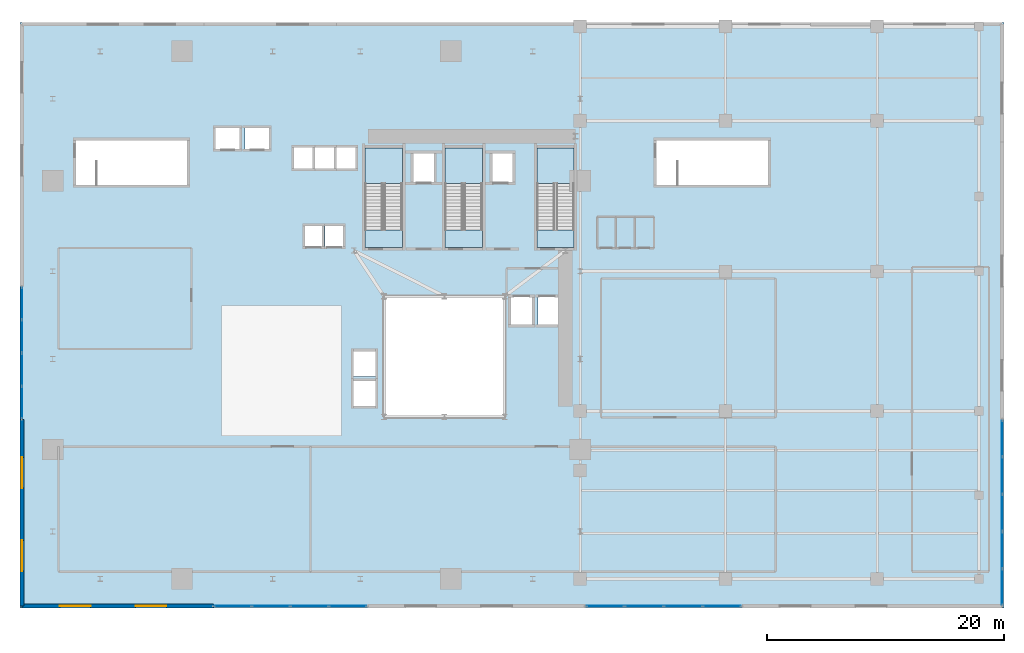
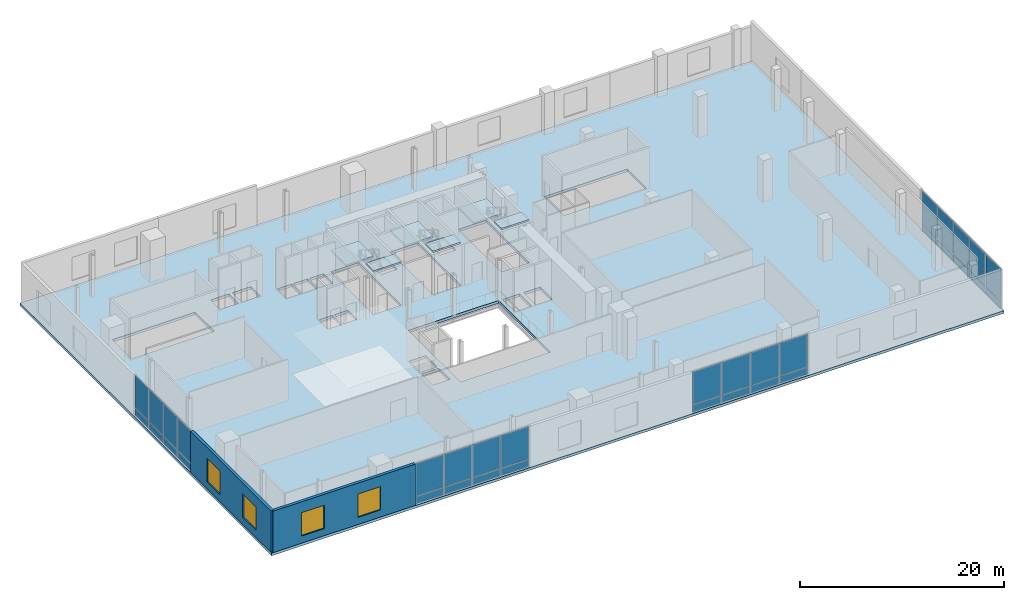
# One storey, part 6 of 13: 34 plates, 7 slabs, 4 windows, 2 walls, 4 openings, 7 elements without a shape of their own.
"""IFC4 building model written with IfcOpenShell, lengths in metres."""

from ifc_helpers import new_model, si_unit, direction, frame, frame_2d, origin, origin_2d, place, context, subcontext, project, spatial, polyline, rectangle, outline, extrude, source, transform, mapped, material, layer, layer_set, type_object, element, fill, aggregate, save


model = new_model("IFC4")

# Units and contexts
model_context = context("Model", 3, precision=1e-05, world=origin(), true_north=direction((0.0, 1.0)))
body_context = subcontext(model_context, "Body", "Model", "MODEL_VIEW")
ifc_project = project(units=[si_unit("LENGTHUNIT", "METRE"), si_unit("AREAUNIT", "SQUARE_METRE"), si_unit("VOLUMEUNIT", "CUBIC_METRE"), si_unit("PLANEANGLEUNIT", "RADIAN"), si_unit("MASSUNIT", "GRAM", prefix="KILO")], contexts=[model_context])

# Site, building, storey
site_placement = place(None, origin())
site = spatial("IfcSite", under=ifc_project, at=site_placement, CompositionType="ELEMENT")
building_placement = place(site_placement, origin())
building = spatial("IfcBuilding", under=site, at=building_placement, Name="Vardaveli Station Tower", CompositionType="ELEMENT")
storey_placement = place(building_placement, frame((0.0, 0.0, 22.39990234375)))
storey = spatial("IfcBuildingStorey", under=building, at=storey_placement, Name="L05", CompositionType="ELEMENT", Elevation=22.39990234375)

# Stair, slabs
ifc_material_1 = material(Name="Concrete C40/50", Category="concrete")
stair_type = type_object("IfcStairType", Name="STR-CORE-1500", PredefinedType="HALF_TURN_STAIR", material=ifc_material_1)
stair_1_placement = place(storey_placement, origin())
stair_1 = element("IfcStair", 1, at=stair_1_placement, inside=storey, type_object=stair_type, Name="L05 ST-1", PredefinedType="HALF_TURN_STAIR")
ifc_layer_1 = layer(ifc_material_1, 0.199951171875, Name="Concrete C40/50")
ifc_layer_set_1 = layer_set([ifc_layer_1], Name="Concrete C40/50")
slab_type_1 = type_object("IfcSlabType", Name="SLB-LAND-200", PredefinedType="LANDING", material=ifc_layer_set_1)
slab_1_placement = place(storey_placement, frame((0.0, 0.0, 2.400146484375)))
slab_1 = element("IfcSlab", 2, at=slab_1_placement, type_object=slab_type_1, Name="ST-1 landing 1", PredefinedType="LANDING", context=body_context, shape_type="SweptSolid", body=[
    extrude(outline(polyline([(32.75, 36.320068359375), (32.75, 39.300048828125), (29.60009765625, 39.300048828125), (29.60009765625, 36.320068359375), (32.75, 36.320068359375)])), origin(), (0.0, 0.0, 1.0), 0.199951171875),
])
slab_2_placement = place(storey_placement, frame((0.0, 0.0, 5.0)))
slab_2 = element("IfcSlab", 3, at=slab_2_placement, type_object=slab_type_1, Name="ST-1 landing 2", PredefinedType="LANDING", context=body_context, shape_type="SweptSolid", body=[
    extrude(outline(polyline([(32.75, 30.89990234375), (32.75, 32.39990234375), (29.60009765625, 32.39990234375), (29.60009765625, 30.89990234375), (32.75, 30.89990234375)])), origin(), (0.0, 0.0, 1.0), 0.2001953125),
])
aggregate(stair_1, [slab_1, slab_2])

stair_2_placement = place(storey_placement, origin())
stair_2 = element("IfcStair", 4, at=stair_2_placement, inside=storey, type_object=stair_type, Name="L05 ST-2", PredefinedType="HALF_TURN_STAIR")
slab_3_placement = place(storey_placement, frame((0.0, 0.0, 2.400146484375)))
slab_3 = element("IfcSlab", 5, at=slab_3_placement, type_object=slab_type_1, Name="ST-2 landing 1", PredefinedType="LANDING", context=body_context, shape_type="SweptSolid", body=[
    extrude(outline(polyline([(39.5, 36.320068359375), (39.5, 39.300048828125), (36.35009765625, 39.300048828125), (36.35009765625, 36.320068359375), (39.5, 36.320068359375)])), origin(), (0.0, 0.0, 1.0), 0.199951171875),
])
slab_4_placement = place(storey_placement, frame((0.0, 0.0, 5.0)))
slab_4 = element("IfcSlab", 6, at=slab_4_placement, type_object=slab_type_1, Name="ST-2 landing 2", PredefinedType="LANDING", context=body_context, shape_type="SweptSolid", body=[
    extrude(outline(polyline([(39.5, 30.89990234375), (39.5, 32.39990234375), (36.35009765625, 32.39990234375), (36.35009765625, 30.89990234375), (39.5, 30.89990234375)])), origin(), (0.0, 0.0, 1.0), 0.2001953125),
])
aggregate(stair_2, [slab_3, slab_4])

stair_3_placement = place(storey_placement, origin())
stair_3 = element("IfcStair", 7, at=stair_3_placement, inside=storey, type_object=stair_type, Name="L05 ST-3", PredefinedType="HALF_TURN_STAIR")
slab_5_placement = place(storey_placement, frame((0.0, 0.0, 2.400146484375)))
slab_5 = element("IfcSlab", 8, at=slab_5_placement, type_object=slab_type_1, Name="ST-3 landing 1", PredefinedType="LANDING", context=body_context, shape_type="SweptSolid", body=[
    extrude(outline(polyline([(47.25, 36.320068359375), (47.25, 39.300048828125), (44.10009765625, 39.300048828125), (44.10009765625, 36.320068359375), (47.25, 36.320068359375)])), origin(), (0.0, 0.0, 1.0), 0.199951171875),
])
slab_6_placement = place(storey_placement, frame((0.0, 0.0, 5.0)))
slab_6 = element("IfcSlab", 9, at=slab_6_placement, type_object=slab_type_1, Name="ST-3 landing 2", PredefinedType="LANDING", context=body_context, shape_type="SweptSolid", body=[
    extrude(outline(polyline([(47.25, 30.89990234375), (47.25, 32.39990234375), (44.10009765625, 32.39990234375), (44.10009765625, 30.89990234375), (47.25, 30.89990234375)])), origin(), (0.0, 0.0, 1.0), 0.2001953125),
])
aggregate(stair_3, [slab_5, slab_6])

# Slab
ifc_layer_2 = layer(ifc_material_1, 0.320068359375, Name="Concrete C40/50")
ifc_layer_set_2 = layer_set([ifc_layer_2], Name="Concrete C40/50")
slab_type_2 = type_object("IfcSlabType", Name="SLB-POD-320", PredefinedType="FLOOR", material=ifc_layer_set_2)
slab_7_placement = place(storey_placement, frame((0.0, 0.0, -0.31982421875)))
element("IfcSlab", 10, at=slab_7_placement, inside=storey, type_object=slab_type_2, Name="SLB-L05-MAIN", PredefinedType="FLOOR", context=body_context, shape_type="SweptSolid", body=[
    extrude(outline(polyline([(0.489990234375, 0.489990234375), (83.510009765625, 0.489990234375), (83.510009765625, 49.909912109375), (0.489990234375, 49.909912109375), (0.489990234375, 0.489990234375)]), holes=[polyline([(31.199951171875, 16.60009765625), (41.39990234375, 16.60009765625), (41.39990234375, 26.800048828125), (31.199951171875, 26.800048828125), (31.199951171875, 16.60009765625)]), polyline([(32.75, 30.89990234375), (32.75, 39.300048828125), (29.60009765625, 39.300048828125), (29.60009765625, 30.89990234375), (32.75, 30.89990234375)]), polyline([(39.5, 30.89990234375), (39.5, 39.300048828125), (36.35009765625, 39.300048828125), (36.35009765625, 30.89990234375), (39.5, 30.89990234375)]), polyline([(47.25, 30.89990234375), (47.25, 39.300048828125), (44.10009765625, 39.300048828125), (44.10009765625, 30.89990234375), (47.25, 30.89990234375)]), polyline([(5.199951171875, 36.199951171875), (14.60009765625, 36.199951171875), (14.60009765625, 39.949951171875), (5.199951171875, 39.949951171875), (5.199951171875, 36.199951171875)]), polyline([(54.199951171875, 36.199951171875), (63.60009765625, 36.199951171875), (63.60009765625, 39.949951171875), (54.199951171875, 39.949951171875), (54.199951171875, 36.199951171875)]), polyline([(16.9599609375, 39.18505859375), (19.0400390625, 39.18505859375), (19.0400390625, 41.014892578125), (16.9599609375, 41.014892578125), (16.9599609375, 39.18505859375)]), polyline([(19.4599609375, 39.18505859375), (21.5400390625, 39.18505859375), (21.5400390625, 41.014892578125), (19.4599609375, 41.014892578125), (19.4599609375, 39.18505859375)]), polyline([(23.5849609375, 37.534912109375), (25.215087890625, 37.534912109375), (25.215087890625, 39.364990234375), (23.5849609375, 39.364990234375), (23.5849609375, 37.534912109375)]), polyline([(25.385009765625, 37.534912109375), (27.014892578125, 37.534912109375), (27.014892578125, 39.364990234375), (25.385009765625, 39.364990234375), (25.385009765625, 37.534912109375)]), polyline([(27.18505859375, 37.534912109375), (28.81494140625, 37.534912109375), (28.81494140625, 39.364990234375), (27.18505859375, 39.364990234375), (27.18505859375, 37.534912109375)]), polyline([(33.659912109375, 36.409912109375), (35.43994140625, 36.409912109375), (35.43994140625, 38.889892578125), (33.659912109375, 38.889892578125), (33.659912109375, 36.409912109375)]), polyline([(40.31005859375, 36.409912109375), (42.090087890625, 36.409912109375), (42.090087890625, 38.889892578125), (40.31005859375, 38.889892578125), (40.31005859375, 36.409912109375)]), polyline([(24.485107421875, 30.9599609375), (26.014892578125, 30.9599609375), (26.014892578125, 32.739990234375), (24.485107421875, 32.739990234375), (24.485107421875, 30.9599609375)]), polyline([(26.235107421875, 30.9599609375), (27.764892578125, 30.9599609375), (27.764892578125, 32.739990234375), (26.235107421875, 32.739990234375), (26.235107421875, 30.9599609375)]), polyline([(28.5849609375, 17.510009765625), (30.514892578125, 17.510009765625), (30.514892578125, 19.68994140625), (28.5849609375, 19.68994140625), (28.5849609375, 17.510009765625)]), polyline([(28.5849609375, 20.010009765625), (30.514892578125, 20.010009765625), (30.514892578125, 22.18994140625), (28.5849609375, 22.18994140625), (28.5849609375, 20.010009765625)]), polyline([(41.860107421875, 24.360107421875), (43.739990234375, 24.360107421875), (43.739990234375, 26.739990234375), (41.860107421875, 26.739990234375), (41.860107421875, 24.360107421875)]), polyline([(44.2099609375, 24.360107421875), (46.090087890625, 24.360107421875), (46.090087890625, 26.739990234375), (44.2099609375, 26.739990234375), (44.2099609375, 24.360107421875)])]), origin(), (0.0, 0.0, 1.0), 0.31982421875),
])

# Curtain wall, plates
ifc_material_2 = material(Name="Travertine stone and solar-control glass", Category="masonry")
curtain_wall_type = type_object("IfcCurtainWallType", Name="CW-SYS-1", PredefinedType="NOTDEFINED", material=ifc_material_2)
curtain_wall_1_placement = place(storey_placement, origin())
curtain_wall_1 = element("IfcCurtainWall", 11, at=curtain_wall_1_placement, inside=storey, type_object=curtain_wall_type, Name="CW-L05-S2", PredefinedType="NOTDEFINED")
ifc_material_3 = material(Name="Double-glazed low-E solar-control glass", Category="glass")
ifc_layer_3 = layer(ifc_material_3, 0.048095703125, Name="Double-glazed low-E solar-control glass")
ifc_layer_set_3 = layer_set([ifc_layer_3], Name="Double-glazed low-E solar-control glass")
plate_type = type_object("IfcPlateType", Name="CW-SYS-1-PAN", PredefinedType="CURTAIN_PANEL", material=ifc_layer_set_3)
shared_shape_1 = source(origin(), body_context, "Body", "SweptSolid", [
    extrude(rectangle(XDim=3.107421875, YDim=0.048095703125, at=origin_2d()), origin(), (0.0, 0.0, 1.0), 0.8076171875),
])
plate_1_placement = place(storey_placement, frame((18.44873046875, 0.64990234375, 0.094970703125), z_axis=(0.0, 0.0, 1.0), x_axis=(1.0, 0.0, 0.0)))
plate_1 = element("IfcPlate", 12, at=plate_1_placement, type_object=plate_type, Name="CW-1 panel 1.1", PredefinedType="CURTAIN_PANEL", context=body_context, shape_type="MappedRepresentation", body=[
    mapped(shared_shape_1, transform((0.0, 0.0, 0.0), scale=1.0)),
])
plate_2_placement = place(storey_placement, frame((28.1513671875, 0.64990234375, 0.094970703125), z_axis=(0.0, 0.0, 1.0), x_axis=(1.0, 0.0, 0.0)))
plate_2 = element("IfcPlate", 13, at=plate_2_placement, type_object=plate_type, Name="CW-1 panel 4.1", PredefinedType="CURTAIN_PANEL", context=body_context, shape_type="MappedRepresentation", body=[
    mapped(shared_shape_1, transform((0.0, 0.0, 0.0), scale=1.0)),
])
shared_shape_2 = source(origin(), body_context, "Body", "SweptSolid", [
    extrude(rectangle(XDim=3.155029296875, YDim=0.048095703125, at=origin_2d()), origin(), (0.0, 0.0, 1.0), 0.8076171875),
])
plate_3_placement = place(storey_placement, frame((21.675048828125, 0.64990234375, 0.094970703125), z_axis=(0.0, 0.0, 1.0), x_axis=(1.0, 0.0, 0.0)))
plate_3 = element("IfcPlate", 14, at=plate_3_placement, type_object=plate_type, Name="CW-1 panel 2.1", PredefinedType="CURTAIN_PANEL", context=body_context, shape_type="MappedRepresentation", body=[
    mapped(shared_shape_2, transform((0.0, 0.0, 0.0), scale=1.0)),
])
plate_4_placement = place(storey_placement, frame((24.925048828125, 0.64990234375, 0.094970703125), z_axis=(0.0, 0.0, 1.0), x_axis=(1.0, 0.0, 0.0)))
plate_4 = element("IfcPlate", 15, at=plate_4_placement, type_object=plate_type, Name="CW-1 panel 3.1", PredefinedType="CURTAIN_PANEL", context=body_context, shape_type="MappedRepresentation", body=[
    mapped(shared_shape_2, transform((0.0, 0.0, 0.0), scale=1.0)),
])

curtain_wall_2_placement = place(storey_placement, origin())
curtain_wall_2 = element("IfcCurtainWall", 16, at=curtain_wall_2_placement, inside=storey, type_object=curtain_wall_type, Name="CW-L05-S4", PredefinedType="NOTDEFINED")
shared_shape_3 = source(origin(), body_context, "Body", "SweptSolid", [
    extrude(rectangle(XDim=3.157470703125, YDim=0.048095703125, at=origin_2d()), origin(), (0.0, 0.0, 1.0), 0.8076171875),
])
plate_5_placement = place(storey_placement, frame((49.873779296875, 0.64990234375, 0.094970703125), z_axis=(0.0, 0.0, 1.0), x_axis=(1.0, 0.0, 0.0)))
plate_5 = element("IfcPlate", 17, at=plate_5_placement, type_object=plate_type, Name="CW-1 panel 1.1", PredefinedType="CURTAIN_PANEL", context=body_context, shape_type="MappedRepresentation", body=[
    mapped(shared_shape_3, transform((0.0, 0.0, 0.0), scale=1.0)),
])
plate_6_placement = place(storey_placement, frame((59.726318359375, 0.64990234375, 0.094970703125), z_axis=(0.0, 0.0, 1.0), x_axis=(1.0, 0.0, 0.0)))
plate_6 = element("IfcPlate", 18, at=plate_6_placement, type_object=plate_type, Name="CW-1 panel 4.1", PredefinedType="CURTAIN_PANEL", context=body_context, shape_type="MappedRepresentation", body=[
    mapped(shared_shape_3, transform((0.0, 0.0, 0.0), scale=1.0)),
])
shared_shape_4 = source(origin(), body_context, "Body", "SweptSolid", [
    extrude(rectangle(XDim=3.205078125, YDim=0.048095703125, at=origin_2d()), origin(), (0.0, 0.0, 1.0), 0.8076171875),
])
plate_7_placement = place(storey_placement, frame((53.14990234375, 0.64990234375, 0.094970703125), z_axis=(0.0, 0.0, 1.0), x_axis=(1.0, 0.0, 0.0)))
plate_7 = element("IfcPlate", 19, at=plate_7_placement, type_object=plate_type, Name="CW-1 panel 2.1", PredefinedType="CURTAIN_PANEL", context=body_context, shape_type="MappedRepresentation", body=[
    mapped(shared_shape_4, transform((0.0, 0.0, 0.0), scale=1.0)),
])
plate_8_placement = place(storey_placement, frame((56.449951171875, 0.64990234375, 0.094970703125), z_axis=(0.0, 0.0, 1.0), x_axis=(1.0, 0.0, 0.0)))
plate_8 = element("IfcPlate", 20, at=plate_8_placement, type_object=plate_type, Name="CW-1 panel 3.1", PredefinedType="CURTAIN_PANEL", context=body_context, shape_type="MappedRepresentation", body=[
    mapped(shared_shape_4, transform((0.0, 0.0, 0.0), scale=1.0)),
])

curtain_wall_3_placement = place(storey_placement, origin())
curtain_wall_3 = element("IfcCurtainWall", 21, at=curtain_wall_3_placement, inside=storey, type_object=curtain_wall_type, Name="CW-L05-E1", PredefinedType="NOTDEFINED")
shared_shape_5 = source(origin(), body_context, "Body", "SweptSolid", [
    extrude(rectangle(XDim=3.007568359375, YDim=0.048095703125, at=origin_2d()), origin(), (0.0, 0.0, 1.0), 0.8076171875),
])
plate_9_placement = place(storey_placement, frame((83.35009765625, 2.248779296875, 0.094970703125), z_axis=(0.0, 0.0, 1.0), x_axis=(0.0, 1.0, 0.0)))
plate_9 = element("IfcPlate", 22, at=plate_9_placement, type_object=plate_type, Name="CW-1 panel 1.1", PredefinedType="CURTAIN_PANEL", context=body_context, shape_type="MappedRepresentation", body=[
    mapped(shared_shape_5, transform((0.0, 0.0, 0.0), scale=1.0)),
])
plate_10_placement = place(storey_placement, frame((83.35009765625, 14.80126953125, 0.094970703125), z_axis=(0.0, 0.0, 1.0), x_axis=(0.0, 1.0, 0.0)))
plate_10 = element("IfcPlate", 23, at=plate_10_placement, type_object=plate_type, Name="CW-1 panel 5.1", PredefinedType="CURTAIN_PANEL", context=body_context, shape_type="MappedRepresentation", body=[
    mapped(shared_shape_5, transform((0.0, 0.0, 0.0), scale=1.0)),
])
shared_shape_6 = source(origin(), body_context, "Body", "SweptSolid", [
    extrude(rectangle(XDim=3.054931640625, YDim=0.048095703125, at=origin_2d()), origin(), (0.0, 0.0, 1.0), 0.8076171875),
])
plate_11_placement = place(storey_placement, frame((83.35009765625, 5.375, 0.094970703125), z_axis=(0.0, 0.0, 1.0), x_axis=(0.0, 1.0, 0.0)))
plate_11 = element("IfcPlate", 24, at=plate_11_placement, type_object=plate_type, Name="CW-1 panel 2.1", PredefinedType="CURTAIN_PANEL", context=body_context, shape_type="MappedRepresentation", body=[
    mapped(shared_shape_6, transform((0.0, 0.0, 0.0), scale=1.0)),
])
plate_12_placement = place(storey_placement, frame((83.35009765625, 8.52490234375, 0.094970703125), z_axis=(0.0, 0.0, 1.0), x_axis=(0.0, 1.0, 0.0)))
plate_12 = element("IfcPlate", 25, at=plate_12_placement, type_object=plate_type, Name="CW-1 panel 3.1", PredefinedType="CURTAIN_PANEL", context=body_context, shape_type="MappedRepresentation", body=[
    mapped(shared_shape_6, transform((0.0, 0.0, 0.0), scale=1.0)),
])
plate_13_placement = place(storey_placement, frame((83.35009765625, 11.675048828125, 0.094970703125), z_axis=(0.0, 0.0, 1.0), x_axis=(0.0, 1.0, 0.0)))
plate_13 = element("IfcPlate", 26, at=plate_13_placement, type_object=plate_type, Name="CW-1 panel 4.1", PredefinedType="CURTAIN_PANEL", context=body_context, shape_type="MappedRepresentation", body=[
    mapped(shared_shape_6, transform((0.0, 0.0, 0.0), scale=1.0)),
])

curtain_wall_4_placement = place(storey_placement, origin())
curtain_wall_4 = element("IfcCurtainWall", 27, at=curtain_wall_4_placement, inside=storey, type_object=curtain_wall_type, Name="CW-L05-W2", PredefinedType="NOTDEFINED")
shared_shape_7 = source(origin(), body_context, "Body", "SweptSolid", [
    extrude(rectangle(XDim=2.657470703125, YDim=0.048095703125, at=origin_2d()), origin(), (0.0, 0.0, 1.0), 0.8076171875),
])
plate_14_placement = place(storey_placement, frame((0.64990234375, 26.17626953125, 0.094970703125), z_axis=(0.0, 0.0, 1.0), x_axis=(0.0, -1.0, 0.0)))
plate_14 = element("IfcPlate", 28, at=plate_14_placement, type_object=plate_type, Name="CW-1 panel 1.1", PredefinedType="CURTAIN_PANEL", context=body_context, shape_type="MappedRepresentation", body=[
    mapped(shared_shape_7, transform((0.0, 0.0, 0.0), scale=1.0)),
])
plate_15_placement = place(storey_placement, frame((0.64990234375, 17.82373046875, 0.094970703125), z_axis=(0.0, 0.0, 1.0), x_axis=(0.0, -1.0, 0.0)))
plate_15 = element("IfcPlate", 29, at=plate_15_placement, type_object=plate_type, Name="CW-1 panel 4.1", PredefinedType="CURTAIN_PANEL", context=body_context, shape_type="MappedRepresentation", body=[
    mapped(shared_shape_7, transform((0.0, 0.0, 0.0), scale=1.0)),
])
shared_shape_8 = source(origin(), body_context, "Body", "SweptSolid", [
    extrude(rectangle(XDim=2.705078125, YDim=0.048095703125, at=origin_2d()), origin(), (0.0, 0.0, 1.0), 0.8076171875),
])
plate_16_placement = place(storey_placement, frame((0.64990234375, 23.39990234375, 0.094970703125), z_axis=(0.0, 0.0, 1.0), x_axis=(0.0, -1.0, 0.0)))
plate_16 = element("IfcPlate", 30, at=plate_16_placement, type_object=plate_type, Name="CW-1 panel 2.1", PredefinedType="CURTAIN_PANEL", context=body_context, shape_type="MappedRepresentation", body=[
    mapped(shared_shape_8, transform((0.0, 0.0, 0.0), scale=1.0)),
])
plate_17_placement = place(storey_placement, frame((0.64990234375, 20.60009765625, 0.094970703125), z_axis=(0.0, 0.0, 1.0), x_axis=(0.0, -1.0, 0.0)))
plate_17 = element("IfcPlate", 31, at=plate_17_placement, type_object=plate_type, Name="CW-1 panel 3.1", PredefinedType="CURTAIN_PANEL", context=body_context, shape_type="MappedRepresentation", body=[
    mapped(shared_shape_8, transform((0.0, 0.0, 0.0), scale=1.0)),
])

# Plate
shared_shape_9 = source(origin(), body_context, "Body", "SweptSolid", [
    extrude(rectangle(XDim=3.107421875, YDim=0.048095703125, at=origin_2d()), origin(), (0.0, 0.0, 1.0), 3.867431640625),
])
plate_18_placement = place(storey_placement, frame((18.44873046875, 0.64990234375, 0.99755859375), z_axis=(0.0, 0.0, 1.0), x_axis=(1.0, 0.0, 0.0)))
plate_18 = element("IfcPlate", 32, at=plate_18_placement, type_object=plate_type, Name="CW-1 panel 1.2", PredefinedType="CURTAIN_PANEL", context=body_context, shape_type="MappedRepresentation", body=[
    mapped(shared_shape_9, transform((0.0, 0.0, 0.0), scale=1.0)),
])

plate_19_placement = place(storey_placement, frame((28.1513671875, 0.64990234375, 0.99755859375), z_axis=(0.0, 0.0, 1.0), x_axis=(1.0, 0.0, 0.0)))
plate_19 = element("IfcPlate", 33, at=plate_19_placement, type_object=plate_type, Name="CW-1 panel 4.2", PredefinedType="CURTAIN_PANEL", context=body_context, shape_type="MappedRepresentation", body=[
    mapped(shared_shape_9, transform((0.0, 0.0, 0.0), scale=1.0)),
])

shared_shape_10 = source(origin(), body_context, "Body", "SweptSolid", [
    extrude(rectangle(XDim=3.155029296875, YDim=0.048095703125, at=origin_2d()), origin(), (0.0, 0.0, 1.0), 3.867431640625),
])
plate_20_placement = place(storey_placement, frame((21.675048828125, 0.64990234375, 0.99755859375), z_axis=(0.0, 0.0, 1.0), x_axis=(1.0, 0.0, 0.0)))
plate_20 = element("IfcPlate", 34, at=plate_20_placement, type_object=plate_type, Name="CW-1 panel 2.2", PredefinedType="CURTAIN_PANEL", context=body_context, shape_type="MappedRepresentation", body=[
    mapped(shared_shape_10, transform((0.0, 0.0, 0.0), scale=1.0)),
])

plate_21_placement = place(storey_placement, frame((24.925048828125, 0.64990234375, 0.99755859375), z_axis=(0.0, 0.0, 1.0), x_axis=(1.0, 0.0, 0.0)))
plate_21 = element("IfcPlate", 35, at=plate_21_placement, type_object=plate_type, Name="CW-1 panel 3.2", PredefinedType="CURTAIN_PANEL", context=body_context, shape_type="MappedRepresentation", body=[
    mapped(shared_shape_10, transform((0.0, 0.0, 0.0), scale=1.0)),
])

aggregate(curtain_wall_1, [plate_1, plate_18, plate_3, plate_20, plate_4, plate_21, plate_2, plate_19])

shared_shape_11 = source(origin(), body_context, "Body", "SweptSolid", [
    extrude(rectangle(XDim=3.157470703125, YDim=0.048095703125, at=origin_2d()), origin(), (0.0, 0.0, 1.0), 3.867431640625),
])
plate_22_placement = place(storey_placement, frame((49.873779296875, 0.64990234375, 0.99755859375), z_axis=(0.0, 0.0, 1.0), x_axis=(1.0, 0.0, 0.0)))
plate_22 = element("IfcPlate", 36, at=plate_22_placement, type_object=plate_type, Name="CW-1 panel 1.2", PredefinedType="CURTAIN_PANEL", context=body_context, shape_type="MappedRepresentation", body=[
    mapped(shared_shape_11, transform((0.0, 0.0, 0.0), scale=1.0)),
])

plate_23_placement = place(storey_placement, frame((59.726318359375, 0.64990234375, 0.99755859375), z_axis=(0.0, 0.0, 1.0), x_axis=(1.0, 0.0, 0.0)))
plate_23 = element("IfcPlate", 37, at=plate_23_placement, type_object=plate_type, Name="CW-1 panel 4.2", PredefinedType="CURTAIN_PANEL", context=body_context, shape_type="MappedRepresentation", body=[
    mapped(shared_shape_11, transform((0.0, 0.0, 0.0), scale=1.0)),
])

shared_shape_12 = source(origin(), body_context, "Body", "SweptSolid", [
    extrude(rectangle(XDim=3.205078125, YDim=0.048095703125, at=origin_2d()), origin(), (0.0, 0.0, 1.0), 3.867431640625),
])
plate_24_placement = place(storey_placement, frame((53.14990234375, 0.64990234375, 0.99755859375), z_axis=(0.0, 0.0, 1.0), x_axis=(1.0, 0.0, 0.0)))
plate_24 = element("IfcPlate", 38, at=plate_24_placement, type_object=plate_type, Name="CW-1 panel 2.2", PredefinedType="CURTAIN_PANEL", context=body_context, shape_type="MappedRepresentation", body=[
    mapped(shared_shape_12, transform((0.0, 0.0, 0.0), scale=1.0)),
])

plate_25_placement = place(storey_placement, frame((56.449951171875, 0.64990234375, 0.99755859375), z_axis=(0.0, 0.0, 1.0), x_axis=(1.0, 0.0, 0.0)))
plate_25 = element("IfcPlate", 39, at=plate_25_placement, type_object=plate_type, Name="CW-1 panel 3.2", PredefinedType="CURTAIN_PANEL", context=body_context, shape_type="MappedRepresentation", body=[
    mapped(shared_shape_12, transform((0.0, 0.0, 0.0), scale=1.0)),
])

aggregate(curtain_wall_2, [plate_5, plate_22, plate_7, plate_24, plate_8, plate_25, plate_6, plate_23])

shared_shape_13 = source(origin(), body_context, "Body", "SweptSolid", [
    extrude(rectangle(XDim=2.657470703125, YDim=0.048095703125, at=origin_2d()), origin(), (0.0, 0.0, 1.0), 3.867431640625),
])
plate_26_placement = place(storey_placement, frame((0.64990234375, 26.17626953125, 0.99755859375), z_axis=(0.0, 0.0, 1.0), x_axis=(0.0, -1.0, 0.0)))
plate_26 = element("IfcPlate", 40, at=plate_26_placement, type_object=plate_type, Name="CW-1 panel 1.2", PredefinedType="CURTAIN_PANEL", context=body_context, shape_type="MappedRepresentation", body=[
    mapped(shared_shape_13, transform((0.0, 0.0, 0.0), scale=1.0)),
])

plate_27_placement = place(storey_placement, frame((0.64990234375, 17.82373046875, 0.99755859375), z_axis=(0.0, 0.0, 1.0), x_axis=(0.0, -1.0, 0.0)))
plate_27 = element("IfcPlate", 41, at=plate_27_placement, type_object=plate_type, Name="CW-1 panel 4.2", PredefinedType="CURTAIN_PANEL", context=body_context, shape_type="MappedRepresentation", body=[
    mapped(shared_shape_13, transform((0.0, 0.0, 0.0), scale=1.0)),
])

shared_shape_14 = source(origin(), body_context, "Body", "SweptSolid", [
    extrude(rectangle(XDim=2.705078125, YDim=0.048095703125, at=origin_2d()), origin(), (0.0, 0.0, 1.0), 3.867431640625),
])
plate_28_placement = place(storey_placement, frame((0.64990234375, 23.39990234375, 0.99755859375), z_axis=(0.0, 0.0, 1.0), x_axis=(0.0, -1.0, 0.0)))
plate_28 = element("IfcPlate", 42, at=plate_28_placement, type_object=plate_type, Name="CW-1 panel 2.2", PredefinedType="CURTAIN_PANEL", context=body_context, shape_type="MappedRepresentation", body=[
    mapped(shared_shape_14, transform((0.0, 0.0, 0.0), scale=1.0)),
])

plate_29_placement = place(storey_placement, frame((0.64990234375, 20.60009765625, 0.99755859375), z_axis=(0.0, 0.0, 1.0), x_axis=(0.0, -1.0, 0.0)))
plate_29 = element("IfcPlate", 43, at=plate_29_placement, type_object=plate_type, Name="CW-1 panel 3.2", PredefinedType="CURTAIN_PANEL", context=body_context, shape_type="MappedRepresentation", body=[
    mapped(shared_shape_14, transform((0.0, 0.0, 0.0), scale=1.0)),
])

aggregate(curtain_wall_4, [plate_14, plate_26, plate_16, plate_28, plate_17, plate_29, plate_15, plate_27])

shared_shape_15 = source(origin(), body_context, "Body", "SweptSolid", [
    extrude(rectangle(XDim=3.007568359375, YDim=0.048095703125, at=origin_2d()), origin(), (0.0, 0.0, 1.0), 3.867431640625),
])
plate_30_placement = place(storey_placement, frame((83.35009765625, 2.248779296875, 0.99755859375), z_axis=(0.0, 0.0, 1.0), x_axis=(0.0, 1.0, 0.0)))
plate_30 = element("IfcPlate", 44, at=plate_30_placement, type_object=plate_type, Name="CW-1 panel 1.2", PredefinedType="CURTAIN_PANEL", context=body_context, shape_type="MappedRepresentation", body=[
    mapped(shared_shape_15, transform((0.0, 0.0, 0.0), scale=1.0)),
])

plate_31_placement = place(storey_placement, frame((83.35009765625, 14.80126953125, 0.99755859375), z_axis=(0.0, 0.0, 1.0), x_axis=(0.0, 1.0, 0.0)))
plate_31 = element("IfcPlate", 45, at=plate_31_placement, type_object=plate_type, Name="CW-1 panel 5.2", PredefinedType="CURTAIN_PANEL", context=body_context, shape_type="MappedRepresentation", body=[
    mapped(shared_shape_15, transform((0.0, 0.0, 0.0), scale=1.0)),
])

shared_shape_16 = source(origin(), body_context, "Body", "SweptSolid", [
    extrude(rectangle(XDim=3.054931640625, YDim=0.048095703125, at=origin_2d()), origin(), (0.0, 0.0, 1.0), 3.867431640625),
])
plate_32_placement = place(storey_placement, frame((83.35009765625, 5.375, 0.99755859375), z_axis=(0.0, 0.0, 1.0), x_axis=(0.0, 1.0, 0.0)))
plate_32 = element("IfcPlate", 46, at=plate_32_placement, type_object=plate_type, Name="CW-1 panel 2.2", PredefinedType="CURTAIN_PANEL", context=body_context, shape_type="MappedRepresentation", body=[
    mapped(shared_shape_16, transform((0.0, 0.0, 0.0), scale=1.0)),
])

plate_33_placement = place(storey_placement, frame((83.35009765625, 8.52490234375, 0.99755859375), z_axis=(0.0, 0.0, 1.0), x_axis=(0.0, 1.0, 0.0)))
plate_33 = element("IfcPlate", 47, at=plate_33_placement, type_object=plate_type, Name="CW-1 panel 3.2", PredefinedType="CURTAIN_PANEL", context=body_context, shape_type="MappedRepresentation", body=[
    mapped(shared_shape_16, transform((0.0, 0.0, 0.0), scale=1.0)),
])

plate_34_placement = place(storey_placement, frame((83.35009765625, 11.675048828125, 0.99755859375), z_axis=(0.0, 0.0, 1.0), x_axis=(0.0, 1.0, 0.0)))
plate_34 = element("IfcPlate", 48, at=plate_34_placement, type_object=plate_type, Name="CW-1 panel 4.2", PredefinedType="CURTAIN_PANEL", context=body_context, shape_type="MappedRepresentation", body=[
    mapped(shared_shape_16, transform((0.0, 0.0, 0.0), scale=1.0)),
])

aggregate(curtain_wall_3, [plate_9, plate_30, plate_11, plate_32, plate_12, plate_33, plate_13, plate_34, plate_10, plate_31])

# Wall, openings, windows
ifc_material_4 = material(Name="Precast concrete C45/55", Category="concrete")
ifc_layer_4 = layer(ifc_material_4, 0.320068359375, Name="Precast concrete C45/55")
ifc_layer_set_4 = layer_set([ifc_layer_4], Name="Precast concrete C45/55")
wall_type = type_object("IfcWallType", Name="WAL-EXT-STONE-320", PredefinedType="SOLIDWALL", material=ifc_layer_set_4)
shared_shape_17 = source(origin(), body_context, "Body", "SweptSolid", [
    extrude(rectangle(XDim=16.150146484375, YDim=0.320068359375, at=frame_2d((8.0751953125, 0.0))), origin(), (0.0, 0.0, 1.0), 4.960205078125),
])
wall_1_placement = place(storey_placement, frame((0.64990234375, 0.64990234375, 0.0), z_axis=(0.0, 0.0, 1.0), x_axis=(1.0, 0.0, 0.0)))
wall_1 = element("IfcWall", 49, at=wall_1_placement, inside=storey, type_object=wall_type, Name="EW-L05-S1", PredefinedType="SOLIDWALL", context=body_context, shape_type="MappedRepresentation", body=[
    mapped(shared_shape_17, transform((0.0, 0.0, 0.0), scale=1.0)),
])
shared_shape_18 = source(origin(), body_context, "Body", "SweptSolid", [
    extrude(rectangle(XDim=2.60009765625, YDim=2.800048828125, at=frame_2d((1.300048828125, 1.39990234375))), frame((0.0, 0.169921875, 0.0), z_axis=(0.0, -1.0, 0.0), x_axis=(1.0, 0.0, 0.0)), (0.0, 0.0, 1.0), 0.340087890625),
])
opening_1_placement = place(wall_1_placement, frame((3.199951171875, 0.0, 0.85009765625)))
opening_1 = element("IfcOpeningElement", 50, at=opening_1_placement, cuts=wall_1, Name="Opening W-02", PredefinedType="OPENING", context=body_context, shape_type="MappedRepresentation", body=[
    mapped(shared_shape_18, transform((0.0, 0.0, 0.0), scale=1.0)),
])
opening_2_placement = place(wall_1_placement, frame((9.60009765625, 0.0, 0.85009765625)))
opening_2 = element("IfcOpeningElement", 51, at=opening_2_placement, cuts=wall_1, Name="Opening W-02", PredefinedType="OPENING", context=body_context, shape_type="MappedRepresentation", body=[
    mapped(shared_shape_18, transform((0.0, 0.0, 0.0), scale=1.0)),
])
ifc_material_5 = material(Name="Low-E solar-control glass", Category="glass")
window_type = type_object("IfcWindowType", Name="WIN-POD-2600x2800", PartitioningType="SINGLE_PANEL", PredefinedType="WINDOW", material=ifc_material_5)
shared_shape_19 = source(origin(), body_context, "Body", "SweptSolid", [
    extrude(rectangle(XDim=2.60009765625, YDim=2.800048828125, at=frame_2d((1.300048828125, 1.39990234375))), frame((0.0, 0.030029296875, 0.0), z_axis=(0.0, -1.0, 0.0), x_axis=(1.0, 0.0, 0.0)), (0.0, 0.0, 1.0), 0.06005859375),
])
window_1_placement = place(opening_1_placement, origin())
window_1 = element("IfcWindow", 52, at=window_1_placement, inside=storey, type_object=window_type, Name="WN-L05-S1A", OverallHeight=2.800048828125, OverallWidth=2.60009765625, PartitioningType="SINGLE_PANEL", PredefinedType="WINDOW", context=body_context, shape_type="MappedRepresentation", body=[
    mapped(shared_shape_19, transform((0.0, 0.0, 0.0), scale=1.0)),
])
fill(opening_1, window_1)
window_2_placement = place(opening_2_placement, origin())
window_2 = element("IfcWindow", 53, at=window_2_placement, inside=storey, type_object=window_type, Name="WN-L05-S1B", OverallHeight=2.800048828125, OverallWidth=2.60009765625, PartitioningType="SINGLE_PANEL", PredefinedType="WINDOW", context=body_context, shape_type="MappedRepresentation", body=[
    mapped(shared_shape_19, transform((0.0, 0.0, 0.0), scale=1.0)),
])
fill(opening_2, window_2)

shared_shape_20 = source(origin(), body_context, "Body", "SweptSolid", [
    extrude(rectangle(XDim=15.75, YDim=0.320068359375, at=frame_2d((7.875, 0.0))), origin(), (0.0, 0.0, 1.0), 4.960205078125),
])
wall_2_placement = place(storey_placement, frame((0.64990234375, 16.39990234375, 0.0), z_axis=(0.0, 0.0, 1.0), x_axis=(0.0, -1.0, 0.0)))
wall_2 = element("IfcWall", 54, at=wall_2_placement, inside=storey, type_object=wall_type, Name="EW-L05-W1", PredefinedType="SOLIDWALL", context=body_context, shape_type="MappedRepresentation", body=[
    mapped(shared_shape_20, transform((0.0, 0.0, 0.0), scale=1.0)),
])
opening_3_placement = place(wall_2_placement, frame((3.199951171875, 0.0, 0.85009765625)))
opening_3 = element("IfcOpeningElement", 55, at=opening_3_placement, cuts=wall_2, Name="Opening W-02", PredefinedType="OPENING", context=body_context, shape_type="MappedRepresentation", body=[
    mapped(shared_shape_18, transform((0.0, 0.0, 0.0), scale=1.0)),
])
opening_4_placement = place(wall_2_placement, frame((10.199951171875, 0.0, 0.85009765625)))
opening_4 = element("IfcOpeningElement", 56, at=opening_4_placement, cuts=wall_2, Name="Opening W-02", PredefinedType="OPENING", context=body_context, shape_type="MappedRepresentation", body=[
    mapped(shared_shape_18, transform((0.0, 0.0, 0.0), scale=1.0)),
])
window_3_placement = place(opening_3_placement, origin())
window_3 = element("IfcWindow", 57, at=window_3_placement, inside=storey, type_object=window_type, Name="WN-L05-W1A", OverallHeight=2.800048828125, OverallWidth=2.60009765625, PartitioningType="SINGLE_PANEL", PredefinedType="WINDOW", context=body_context, shape_type="MappedRepresentation", body=[
    mapped(shared_shape_19, transform((0.0, 0.0, 0.0), scale=1.0)),
])
fill(opening_3, window_3)
window_4_placement = place(opening_4_placement, origin())
window_4 = element("IfcWindow", 58, at=window_4_placement, inside=storey, type_object=window_type, Name="WN-L05-W1B", OverallHeight=2.800048828125, OverallWidth=2.60009765625, PartitioningType="SINGLE_PANEL", PredefinedType="WINDOW", context=body_context, shape_type="MappedRepresentation", body=[
    mapped(shared_shape_19, transform((0.0, 0.0, 0.0), scale=1.0)),
])
fill(opening_4, window_4)

save(model, "model.ifc")
